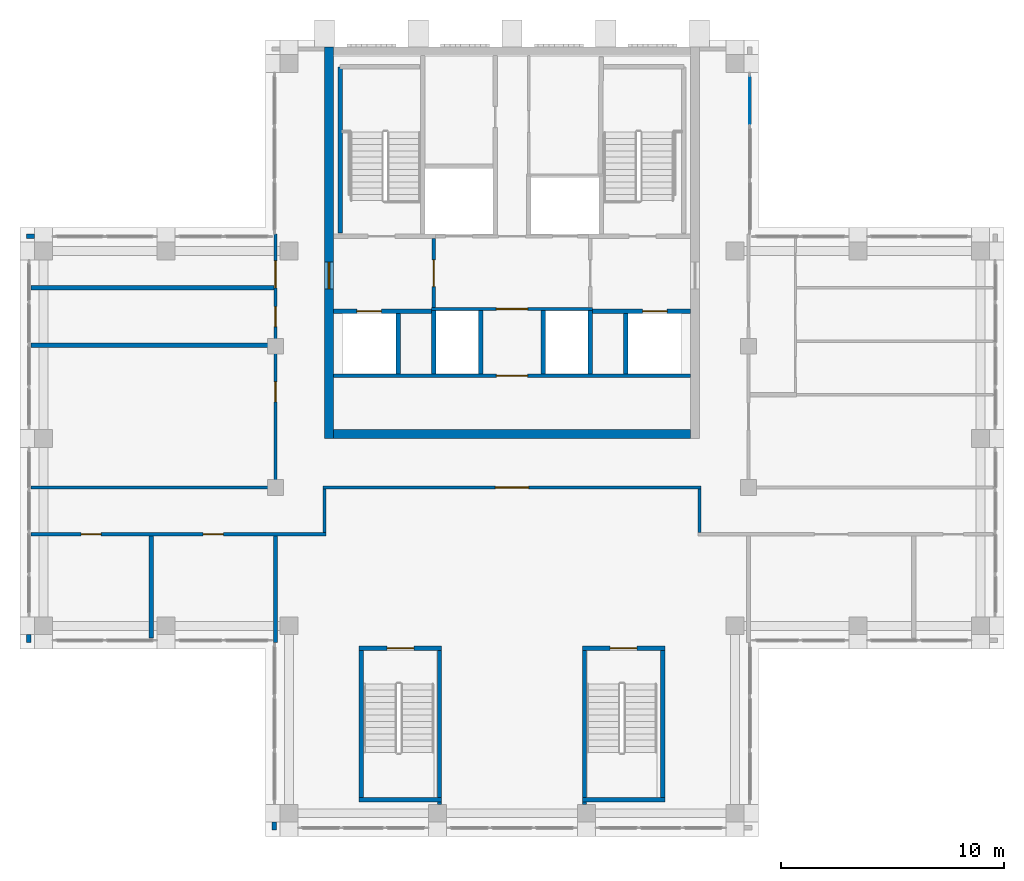
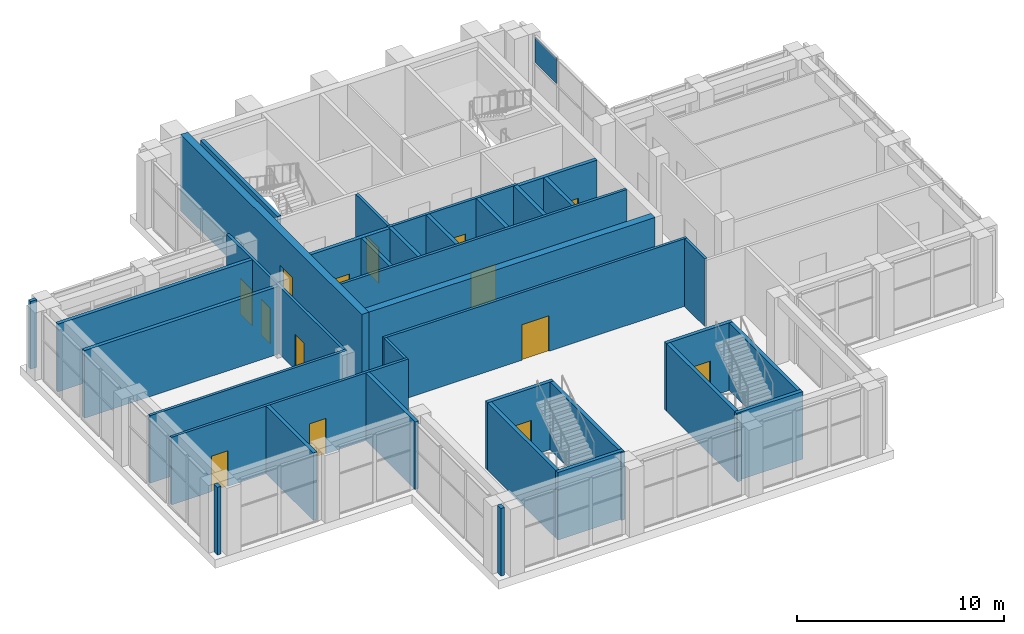
# One storey, part 9 of 14: 35 walls, 14 doors, 1 plate, 14 openings, 1 element without a shape of its own.
"""IFC4 building model written with IfcOpenShell, lengths in metres."""

from ifc_helpers import new_model, si_unit, direction, frame, frame_2d, origin, origin_2d, place, context, subcontext, project, spatial, rectangle, extrude, material, layer, layer_set, type_object, element, fill, aggregate, save


model = new_model("IFC4")

# Units and contexts
model_context = context("Model", 3, precision=1e-05, world=origin(), true_north=direction((0.0, 1.0)))
body_context = subcontext(model_context, "Body", "Model", "MODEL_VIEW")
ifc_project = project(units=[si_unit("LENGTHUNIT", "METRE"), si_unit("AREAUNIT", "SQUARE_METRE"), si_unit("VOLUMEUNIT", "CUBIC_METRE"), si_unit("PLANEANGLEUNIT", "RADIAN"), si_unit("MASSUNIT", "GRAM", prefix="KILO")], contexts=[model_context])

# Site, building, storey
site_placement = place(None, origin())
site = spatial("IfcSite", under=ifc_project, at=site_placement, CompositionType="ELEMENT")
building_placement = place(site_placement, origin())
building = spatial("IfcBuilding", under=site, at=building_placement, Name="Vermilion Ogive Tower", CompositionType="ELEMENT")
storey_placement = place(building_placement, frame((0.0, 0.0, 273.85009765625)))
storey = spatial("IfcBuildingStorey", under=building, at=storey_placement, Name="L72", CompositionType="ELEMENT", Elevation=273.85009765625)

# Curtain wall, plate
ifc_material_1 = material(Name="Laminated solar-control glazing in aluminium frame", Category="aluminium")
curtain_wall_type = type_object("IfcCurtainWallType", Name="Curtain wall CW4", PredefinedType="NOTDEFINED", material=ifc_material_1)
curtain_wall_placement = place(storey_placement, origin())
curtain_wall = element("IfcCurtainWall", 1, at=curtain_wall_placement, inside=storey, type_object=curtain_wall_type, Name="CW4 glazing X41", PredefinedType="NOTDEFINED")
ifc_material_2 = material(Name="Laminated solar-control glazing in aluminium frame", Category="aluminium")
ifc_layer_1 = layer(ifc_material_2, 0.0400390625)
ifc_layer_set_1 = layer_set([ifc_layer_1], Name="CW4 glazing panel 40")
plate_type = type_object("IfcPlateType", Name="CW4 glazing panel 40", PredefinedType="CURTAIN_PANEL", material=ifc_layer_set_1)
plate_placement = place(storey_placement, frame((10.64990234375, 19.341552734375, 2.4296875), z_axis=(0.0, 0.0, 1.0), x_axis=(0.0, 1.0, 0.0)))
plate = element("IfcPlate", 2, at=plate_placement, type_object=plate_type, Name="CW4-X41 panel 3.2", PredefinedType="CURTAIN_PANEL", context=body_context, shape_type="SweptSolid", body=[
    extrude(rectangle(XDim=2.11669921875, YDim=0.0400390625, at=origin_2d()), origin(), (0.0, 0.0, 1.0), 1.510009765625),
])
aggregate(curtain_wall, [plate])

# Wall, opening, door
ifc_material_3 = material(Name="Concrete B60", Category="concrete")
ifc_layer_2 = layer(ifc_material_3, 0.39990234375)
ifc_layer_set_2 = layer_set([ifc_layer_2], Name="Core wall 400 B60")
wall_type_1 = type_object("IfcWallType", Name="Core wall 400 B60", PredefinedType="SHEAR", material=ifc_layer_set_2)
wall_1_placement = place(storey_placement, frame((-8.199951171875, 4.199951171875, -0.5), z_axis=(0.0, 0.0, 1.0), x_axis=(0.0, 1.0, 0.0)))
wall_1 = element("IfcWall", 3, at=wall_1_placement, inside=storey, type_object=wall_type_1, Name="L72-CORE-W", PredefinedType="SHEAR", context=body_context, shape_type="SweptSolid", body=[
    extrude(rectangle(XDim=17.550048828125, YDim=0.39990234375, at=frame_2d((8.77490234375, 0.0))), origin(), (0.0, 0.0, 1.0), 4.5),
])
opening_1_placement = place(wall_1_placement, frame((6.699951171875, 0.0, 0.5)))
opening_1 = element("IfcOpeningElement", 4, at=opening_1_placement, cuts=wall_1, Name="Opening DAZ002", PredefinedType="OPENING", context=body_context, shape_type="SweptSolid", body=[
    extrude(rectangle(XDim=1.199951171875, YDim=2.10009765625, at=frame_2d((0.60009765625, 1.050048828125))), frame((0.0, 0.2099609375, 0.0), z_axis=(0.0, -1.0, 0.0), x_axis=(1.0, 0.0, 0.0)), (0.0, 0.0, 1.0), 0.419921875),
])
ifc_material_4 = material(Name="Timber door leaf", Category="wood")
door_type_1 = type_object("IfcDoorType", Name="Link door 1200 x 2100 FD60S", OperationType="SINGLE_SWING_LEFT", PredefinedType="DOOR", material=ifc_material_4)
door_1_placement = place(opening_1_placement, origin())
door_1 = element("IfcDoor", 5, at=door_1_placement, inside=storey, type_object=door_type_1, Name="L72-CK-XD1", OperationType="SINGLE_SWING_LEFT", OverallHeight=2.10009765625, OverallWidth=1.199951171875, PredefinedType="DOOR", context=body_context, shape_type="SweptSolid", body=[
    extrude(rectangle(XDim=1.199951171875, YDim=2.10009765625, at=frame_2d((0.60009765625, 1.050048828125))), frame((0.0, 0.02490234375, 0.0), z_axis=(0.0, -1.0, 0.0), x_axis=(1.0, 0.0, 0.0)), (0.0, 0.0, 1.0), 0.050048828125),
])
fill(opening_1, door_1)

# Wall
wall_2_placement = place(storey_placement, frame((-8.0, 4.39990234375, -0.5), z_axis=(0.0, 0.0, 1.0), x_axis=(1.0, 0.0, 0.0)))
element("IfcWall", 6, at=wall_2_placement, inside=storey, type_object=wall_type_1, Name="L72-CORE-S", PredefinedType="SHEAR", context=body_context, shape_type="SweptSolid", body=[
    extrude(rectangle(XDim=16.0, YDim=0.39990234375, at=frame_2d((8.0, 0.0))), origin(), (0.0, 0.0, 1.0), 4.5),
])

# Wall, openings, doors
ifc_material_5 = material(Name="Gypsum board partition on steel studs", Category="steel")
ifc_layer_3 = layer(ifc_material_5, 0.14990234375)
ifc_layer_set_3 = layer_set([ifc_layer_3], Name="Partition 150 corridor")
wall_type_2 = type_object("IfcWallType", Name="Partition 150 corridor", PredefinedType="PARTITIONING", material=ifc_layer_set_3)
wall_3_placement = place(storey_placement, frame((-21.550048828125, -0.10009765625, 0.0), z_axis=(0.0, 0.0, 1.0), x_axis=(1.0, 0.0, 0.0)))
wall_3 = element("IfcWall", 7, at=wall_3_placement, inside=storey, type_object=wall_type_2, Name="L72-FS-W-W001", PredefinedType="PARTITIONING", context=body_context, shape_type="SweptSolid", body=[
    extrude(rectangle(XDim=13.22509765625, YDim=0.14990234375, at=frame_2d((6.612548828125, 0.0))), origin(), (0.0, 0.0, 1.0), 4.0),
])
opening_2_placement = place(wall_3_placement, frame((2.237548828125, 0.0, 0.0)))
opening_2 = element("IfcOpeningElement", 8, at=opening_2_placement, cuts=wall_3, Name="Opening L72S002", PredefinedType="OPENING", context=body_context, shape_type="SweptSolid", body=[
    extrude(rectangle(XDim=0.89990234375, YDim=2.10009765625, at=frame_2d((0.449951171875, 1.050048828125))), frame((0.0, 0.0849609375, 0.0), z_axis=(0.0, -1.0, 0.0), x_axis=(1.0, 0.0, 0.0)), (0.0, 0.0, 1.0), 0.169921875),
])
opening_3_placement = place(wall_3_placement, frame((7.712646484375, 0.0, 0.0)))
opening_3 = element("IfcOpeningElement", 9, at=opening_3_placement, cuts=wall_3, Name="Opening L72S003", PredefinedType="OPENING", context=body_context, shape_type="SweptSolid", body=[
    extrude(rectangle(XDim=0.89990234375, YDim=2.10009765625, at=frame_2d((0.449951171875, 1.050048828125))), frame((0.0, 0.0849609375, 0.0), z_axis=(0.0, -1.0, 0.0), x_axis=(1.0, 0.0, 0.0)), (0.0, 0.0, 1.0), 0.169921875),
])
ifc_material_6 = material(Name="Timber door leaf", Category="wood")
door_type_2 = type_object("IfcDoorType", Name="Room door 900 x 2100 FD30", OperationType="SINGLE_SWING_LEFT", PredefinedType="DOOR", material=ifc_material_6)
door_2_placement = place(opening_2_placement, origin())
door_2 = element("IfcDoor", 10, at=door_2_placement, inside=storey, type_object=door_type_2, Name="L72-FS-D-D002", OperationType="SINGLE_SWING_LEFT", OverallHeight=2.10009765625, OverallWidth=0.89990234375, PredefinedType="DOOR", context=body_context, shape_type="SweptSolid", body=[
    extrude(rectangle(XDim=0.89990234375, YDim=2.10009765625, at=frame_2d((0.449951171875, 1.050048828125))), frame((0.0, 0.02490234375, 0.0), z_axis=(0.0, -1.0, 0.0), x_axis=(1.0, 0.0, 0.0)), (0.0, 0.0, 1.0), 0.050048828125),
])
fill(opening_2, door_2)
door_3_placement = place(opening_3_placement, origin())
door_3 = element("IfcDoor", 11, at=door_3_placement, inside=storey, type_object=door_type_2, Name="L72-FS-D-D003", OperationType="SINGLE_SWING_LEFT", OverallHeight=2.10009765625, OverallWidth=0.89990234375, PredefinedType="DOOR", context=body_context, shape_type="SweptSolid", body=[
    extrude(rectangle(XDim=0.89990234375, YDim=2.10009765625, at=frame_2d((0.449951171875, 1.050048828125))), frame((0.0, 0.02490234375, 0.0), z_axis=(0.0, -1.0, 0.0), x_axis=(1.0, 0.0, 0.0)), (0.0, 0.0, 1.0), 0.050048828125),
])
fill(opening_3, door_3)

# Wall
wall_4_placement = place(storey_placement, frame((-21.550048828125, 2.0, 0.0), z_axis=(0.0, 0.0, 1.0), x_axis=(1.0, 0.0, 0.0)))
element("IfcWall", 12, at=wall_4_placement, inside=storey, type_object=wall_type_2, Name="L72-FS-W-W003", PredefinedType="PARTITIONING", context=body_context, shape_type="SweptSolid", body=[
    extrude(rectangle(XDim=11.025146484375, YDim=0.14990234375, at=frame_2d((5.5126953125, 0.0))), origin(), (0.0, 0.0, 1.0), 4.0),
])

# Wall, opening, door
wall_5_placement = place(storey_placement, frame((-8.47509765625, 2.0, 0.0), z_axis=(0.0, 0.0, 1.0), x_axis=(1.0, 0.0, 0.0)))
wall_5 = element("IfcWall", 13, at=wall_5_placement, inside=storey, type_object=wall_type_2, Name="L72-FS-W-W004", PredefinedType="PARTITIONING", context=body_context, shape_type="SweptSolid", body=[
    extrude(rectangle(XDim=16.9501953125, YDim=0.14990234375, at=frame_2d((8.47509765625, 0.0))), origin(), (0.0, 0.0, 1.0), 4.0),
])
opening_4_placement = place(wall_5_placement, frame((7.72509765625, 0.0, 0.0)))
opening_4 = element("IfcOpeningElement", 14, at=opening_4_placement, cuts=wall_5, Name="Opening L72S001", PredefinedType="OPENING", context=body_context, shape_type="SweptSolid", body=[
    extrude(rectangle(XDim=1.5, YDim=2.10009765625, at=frame_2d((0.75, 1.050048828125))), frame((0.0, 0.0849609375, 0.0), z_axis=(0.0, -1.0, 0.0), x_axis=(1.0, 0.0, 0.0)), (0.0, 0.0, 1.0), 0.169921875),
])
ifc_material_7 = material(Name="Timber door leaf", Category="wood")
door_type_3 = type_object("IfcDoorType", Name="Assembly door 1500 x 2100 FD30", OperationType="DOUBLE_DOOR_SINGLE_SWING", PredefinedType="DOOR", material=ifc_material_7)
door_4_placement = place(opening_4_placement, origin())
door_4 = element("IfcDoor", 15, at=door_4_placement, inside=storey, type_object=door_type_3, Name="L72-FS-D-D001", OperationType="DOUBLE_DOOR_SINGLE_SWING", OverallHeight=2.10009765625, OverallWidth=1.5, PredefinedType="DOOR", context=body_context, shape_type="SweptSolid", body=[
    extrude(rectangle(XDim=1.5, YDim=2.10009765625, at=frame_2d((0.75, 1.050048828125))), frame((0.0, 0.02490234375, 0.0), z_axis=(0.0, -1.0, 0.0), x_axis=(1.0, 0.0, 0.0)), (0.0, 0.0, 1.0), 0.050048828125),
])
fill(opening_4, door_4)

# Wall, openings, doors
wall_6_placement = place(storey_placement, frame((-10.60009765625, 2.074951171875, 0.0), z_axis=(0.0, 0.0, 1.0), x_axis=(0.0, 1.0, 0.0)))
wall_6 = element("IfcWall", 16, at=wall_6_placement, inside=storey, type_object=wall_type_2, Name="L72-FS-W-W014", PredefinedType="PARTITIONING", context=body_context, shape_type="SweptSolid", body=[
    extrude(rectangle(XDim=11.275146484375, YDim=0.14990234375, at=frame_2d((5.6376953125, 0.0))), origin(), (0.0, 0.0, 1.0), 4.0),
])
opening_5_placement = place(wall_6_placement, frame((3.759033203125, 0.0, 0.0)))
opening_5 = element("IfcOpeningElement", 17, at=opening_5_placement, cuts=wall_6, Name="Opening L72S010", PredefinedType="OPENING", context=body_context, shape_type="SweptSolid", body=[
    extrude(rectangle(XDim=0.89990234375, YDim=2.10009765625, at=frame_2d((0.449951171875, 1.050048828125))), frame((0.0, 0.0849609375, 0.0), z_axis=(0.0, -1.0, 0.0), x_axis=(1.0, 0.0, 0.0)), (0.0, 0.0, 1.0), 0.169921875),
])
opening_6_placement = place(wall_6_placement, frame((7.134033203125, 0.0, 0.0)))
opening_6 = element("IfcOpeningElement", 18, at=opening_6_placement, cuts=wall_6, Name="Opening L72S011", PredefinedType="OPENING", context=body_context, shape_type="SweptSolid", body=[
    extrude(rectangle(XDim=0.89990234375, YDim=2.10009765625, at=frame_2d((0.449951171875, 1.050048828125))), frame((0.0, 0.0849609375, 0.0), z_axis=(0.0, -1.0, 0.0), x_axis=(1.0, 0.0, 0.0)), (0.0, 0.0, 1.0), 0.169921875),
])
opening_7_placement = place(wall_6_placement, frame((8.875, 0.0, 0.0)))
opening_7 = element("IfcOpeningElement", 19, at=opening_7_placement, cuts=wall_6, Name="Opening L72S012", PredefinedType="OPENING", context=body_context, shape_type="SweptSolid", body=[
    extrude(rectangle(XDim=1.199951171875, YDim=2.10009765625, at=frame_2d((0.60009765625, 1.050048828125))), frame((0.0, 0.0849609375, 0.0), z_axis=(0.0, -1.0, 0.0), x_axis=(1.0, 0.0, 0.0)), (0.0, 0.0, 1.0), 0.169921875),
])
ifc_material_8 = material(Name="Timber door leaf", Category="wood")
door_type_4 = type_object("IfcDoorType", Name="Room door 1200 x 2100 FD30", OperationType="SINGLE_SWING_LEFT", PredefinedType="DOOR", material=ifc_material_8)
door_5_placement = place(opening_7_placement, origin())
door_5 = element("IfcDoor", 20, at=door_5_placement, inside=storey, type_object=door_type_4, Name="L72-FS-D-D012", OperationType="SINGLE_SWING_RIGHT", OverallHeight=2.10009765625, OverallWidth=1.199951171875, PredefinedType="DOOR", context=body_context, shape_type="SweptSolid", body=[
    extrude(rectangle(XDim=1.199951171875, YDim=2.10009765625, at=frame_2d((0.60009765625, 1.050048828125))), frame((0.0, 0.02490234375, 0.0), z_axis=(0.0, -1.0, 0.0), x_axis=(1.0, 0.0, 0.0)), (0.0, 0.0, 1.0), 0.050048828125),
])
fill(opening_7, door_5)
door_6_placement = place(opening_5_placement, origin())
door_6 = element("IfcDoor", 21, at=door_6_placement, inside=storey, type_object=door_type_2, Name="L72-FS-D-D010", OperationType="SINGLE_SWING_LEFT", OverallHeight=2.10009765625, OverallWidth=0.89990234375, PredefinedType="DOOR", context=body_context, shape_type="SweptSolid", body=[
    extrude(rectangle(XDim=0.89990234375, YDim=2.10009765625, at=frame_2d((0.449951171875, 1.050048828125))), frame((0.0, 0.02490234375, 0.0), z_axis=(0.0, -1.0, 0.0), x_axis=(1.0, 0.0, 0.0)), (0.0, 0.0, 1.0), 0.050048828125),
])
fill(opening_5, door_6)
door_7_placement = place(opening_6_placement, origin())
door_7 = element("IfcDoor", 22, at=door_7_placement, inside=storey, type_object=door_type_2, Name="L72-FS-D-D011", OperationType="SINGLE_SWING_LEFT", OverallHeight=2.10009765625, OverallWidth=0.89990234375, PredefinedType="DOOR", context=body_context, shape_type="SweptSolid", body=[
    extrude(rectangle(XDim=0.89990234375, YDim=2.10009765625, at=frame_2d((0.449951171875, 1.050048828125))), frame((0.0, 0.02490234375, 0.0), z_axis=(0.0, -1.0, 0.0), x_axis=(1.0, 0.0, 0.0)), (0.0, 0.0, 1.0), 0.050048828125),
])
fill(opening_6, door_7)

# Walls
for number, where, z_axis, x_axis, name in (
    (23, (-8.39990234375, -0.02490234375, 0.0), (0.0, 0.0, 1.0), (0.0, 1.0, 0.0), "L72-FS-W-W015"),
    (24, (8.39990234375, -0.02490234375, 0.0), (0.0, 0.0, 1.0), (0.0, 1.0, 0.0), "L72-FS-W-W016"),
):
    element("IfcWall", number, at=place(storey_placement, frame(where, z_axis=z_axis, x_axis=x_axis)), inside=storey, type_object=wall_type_2, Name=name, PredefinedType="PARTITIONING", context=body_context, shape_type="SweptSolid", body=[
        extrude(rectangle(XDim=1.949951171875, YDim=0.14990234375, at=frame_2d((0.97509765625, 0.0))), origin(), (0.0, 0.0, 1.0), 4.0),
    ])

# Wall, opening, door
wall_7_placement = place(storey_placement, frame((-7.9990234375, 7.0, 0.0), z_axis=(0.0, 0.0, 1.0), x_axis=(1.0, 0.0, 0.0)))
wall_7 = element("IfcWall", 25, at=wall_7_placement, inside=storey, type_object=wall_type_2, Name="L72-CK-W-W001", PredefinedType="PARTITIONING", context=body_context, shape_type="SweptSolid", body=[
    extrude(rectangle(XDim=15.998046875, YDim=0.14990234375, at=frame_2d((7.9990234375, 0.0))), origin(), (0.0, 0.0, 1.0), 4.0),
])
opening_8_placement = place(wall_7_placement, frame((7.299072265625, 0.0, 0.0)))
opening_8 = element("IfcOpeningElement", 26, at=opening_8_placement, cuts=wall_7, Name="Opening DAE018", PredefinedType="OPENING", context=body_context, shape_type="SweptSolid", body=[
    extrude(rectangle(XDim=1.39990234375, YDim=2.10009765625, at=frame_2d((0.699951171875, 1.050048828125))), frame((0.0, 0.0849609375, 0.0), z_axis=(0.0, -1.0, 0.0), x_axis=(1.0, 0.0, 0.0)), (0.0, 0.0, 1.0), 0.169921875),
])
ifc_material_9 = material(Name="Timber door leaf", Category="wood")
door_type_5 = type_object("IfcDoorType", Name="Lobby door 1400 x 2100 FD60S", OperationType="SINGLE_SWING_LEFT", PredefinedType="DOOR", material=ifc_material_9)
door_8_placement = place(opening_8_placement, origin())
door_8 = element("IfcDoor", 27, at=door_8_placement, inside=storey, type_object=door_type_5, Name="L72-CK-D-D005", OperationType="SINGLE_SWING_RIGHT", OverallHeight=2.10009765625, OverallWidth=1.39990234375, PredefinedType="DOOR", context=body_context, shape_type="SweptSolid", body=[
    extrude(rectangle(XDim=1.39990234375, YDim=2.10009765625, at=frame_2d((0.699951171875, 1.050048828125))), frame((0.0, 0.02490234375, 0.0), z_axis=(0.0, -1.0, 0.0), x_axis=(1.0, 0.0, 0.0)), (0.0, 0.0, 1.0), 0.050048828125),
])
fill(opening_8, door_8)

wall_8_placement = place(storey_placement, frame((-3.60009765625, 10.0, 0.0), z_axis=(0.0, 0.0, 1.0), x_axis=(1.0, 0.0, 0.0)))
wall_8 = element("IfcWall", 28, at=wall_8_placement, inside=storey, type_object=wall_type_2, Name="L72-CK-W-W004", PredefinedType="PARTITIONING", context=body_context, shape_type="SweptSolid", body=[
    extrude(rectangle(XDim=7.2001953125, YDim=0.14990234375, at=frame_2d((3.60009765625, 0.0))), origin(), (0.0, 0.0, 1.0), 4.0),
])
opening_9_placement = place(wall_8_placement, frame((2.900146484375, 0.0, 0.0)))
opening_9 = element("IfcOpeningElement", 29, at=opening_9_placement, cuts=wall_8, Name="Opening DAE019", PredefinedType="OPENING", context=body_context, shape_type="SweptSolid", body=[
    extrude(rectangle(XDim=1.39990234375, YDim=2.10009765625, at=frame_2d((0.699951171875, 1.050048828125))), frame((0.0, 0.0849609375, 0.0), z_axis=(0.0, -1.0, 0.0), x_axis=(1.0, 0.0, 0.0)), (0.0, 0.0, 1.0), 0.169921875),
])
door_9_placement = place(opening_9_placement, origin())
door_9 = element("IfcDoor", 30, at=door_9_placement, inside=storey, type_object=door_type_5, Name="L72-CK-D-D006", OperationType="SINGLE_SWING_RIGHT", OverallHeight=2.10009765625, OverallWidth=1.39990234375, PredefinedType="DOOR", context=body_context, shape_type="SweptSolid", body=[
    extrude(rectangle(XDim=1.39990234375, YDim=2.10009765625, at=frame_2d((0.699951171875, 1.050048828125))), frame((0.0, 0.02490234375, 0.0), z_axis=(0.0, -1.0, 0.0), x_axis=(1.0, 0.0, 0.0)), (0.0, 0.0, 1.0), 0.050048828125),
])
fill(opening_9, door_9)

wall_9_placement = place(storey_placement, frame((-3.5, 10.074951171875, 0.0), z_axis=(0.0, 0.0, 1.0), x_axis=(0.0, 1.0, 0.0)))
wall_9 = element("IfcWall", 31, at=wall_9_placement, inside=storey, type_object=wall_type_2, Name="L72-CK-W-W013", PredefinedType="PARTITIONING", context=body_context, shape_type="SweptSolid", body=[
    extrude(rectangle(XDim=3.074951171875, YDim=0.14990234375, at=frame_2d((1.53759765625, 0.0))), origin(), (0.0, 0.0, 1.0), 4.0),
])
opening_10_placement = place(wall_9_placement, frame((0.925048828125, 0.0, 0.0)))
opening_10 = element("IfcOpeningElement", 32, at=opening_10_placement, cuts=wall_9, Name="Opening DAE016", PredefinedType="OPENING", context=body_context, shape_type="SweptSolid", body=[
    extrude(rectangle(XDim=1.199951171875, YDim=2.10009765625, at=frame_2d((0.60009765625, 1.050048828125))), frame((0.0, 0.0849609375, 0.0), z_axis=(0.0, -1.0, 0.0), x_axis=(1.0, 0.0, 0.0)), (0.0, 0.0, 1.0), 0.169921875),
])
ifc_material_10 = material(Name="Timber door leaf", Category="wood")
door_type_6 = type_object("IfcDoorType", Name="Lobby door 1200 x 2100 FD60S", OperationType="SINGLE_SWING_LEFT", PredefinedType="DOOR", material=ifc_material_10)
door_10_placement = place(opening_10_placement, origin())
door_10 = element("IfcDoor", 33, at=door_10_placement, inside=storey, type_object=door_type_6, Name="L72-CK-D-D012", OperationType="SINGLE_SWING_RIGHT", OverallHeight=2.10009765625, OverallWidth=1.199951171875, PredefinedType="DOOR", context=body_context, shape_type="SweptSolid", body=[
    extrude(rectangle(XDim=1.199951171875, YDim=2.10009765625, at=frame_2d((0.60009765625, 1.050048828125))), frame((0.0, 0.02490234375, 0.0), z_axis=(0.0, -1.0, 0.0), x_axis=(1.0, 0.0, 0.0)), (0.0, 0.0, 1.0), 0.050048828125),
])
fill(opening_10, door_10)

# Walls
ifc_material_11 = material(Name="Gypsum board partition on steel studs", Category="steel")
ifc_layer_4 = layer(ifc_material_11, 0.199951171875)
ifc_layer_set_4 = layer_set([ifc_layer_4], Name="Partition 200 party")
wall_type_3 = type_object("IfcWallType", Name="Partition 200 party", PredefinedType="PARTITIONING", material=ifc_layer_set_4)
for number, where, z_axis, x_axis, name in (
    (34, (-21.550048828125, 8.367919921875, 0.0), (0.0, 0.0, 1.0), (1.0, 0.0, 0.0), "L72-FS-W-W008"),
    (35, (-21.550048828125, 10.949951171875, 0.0), (0.0, 0.0, 1.0), (1.0, 0.0, 0.0), "L72-FS-W-W010"),
):
    element("IfcWall", number, at=place(storey_placement, frame(where, z_axis=z_axis, x_axis=x_axis)), inside=storey, type_object=wall_type_3, Name=name, PredefinedType="PARTITIONING", context=body_context, shape_type="SweptSolid", body=[
        extrude(rectangle(XDim=10.875, YDim=0.199951171875, at=frame_2d((5.4375, 0.0))), origin(), (0.0, 0.0, 1.0), 4.0),
    ])
wall_10_placement = place(storey_placement, frame((-16.175048828125, -4.75, 0.0), z_axis=(0.0, 0.0, 1.0), x_axis=(0.0, 1.0, 0.0)))
element("IfcWall", 36, at=wall_10_placement, inside=storey, type_object=wall_type_3, Name="L72-FS-W-W012", PredefinedType="PARTITIONING", context=body_context, shape_type="SweptSolid", body=[
    extrude(rectangle(XDim=4.574951171875, YDim=0.199951171875, at=frame_2d((2.28759765625, 0.0))), origin(), (0.0, 0.0, 1.0), 4.0),
])
wall_11_placement = place(storey_placement, frame((-10.60009765625, -4.949951171875, 0.0), z_axis=(0.0, 0.0, 1.0), x_axis=(0.0, 1.0, 0.0)))
element("IfcWall", 37, at=wall_11_placement, inside=storey, type_object=wall_type_3, Name="L72-FS-W-W013", PredefinedType="PARTITIONING", context=body_context, shape_type="SweptSolid", body=[
    extrude(rectangle(XDim=4.77490234375, YDim=0.199951171875, at=frame_2d((2.387451171875, 0.0))), origin(), (0.0, 0.0, 1.0), 4.0),
])

# Wall, opening, door
wall_12_placement = place(storey_placement, frame((-7.9990234375, 9.89990234375, 0.0), z_axis=(0.0, 0.0, 1.0), x_axis=(1.0, 0.0, 0.0)))
wall_12 = element("IfcWall", 38, at=wall_12_placement, inside=storey, type_object=wall_type_3, Name="L72-CK-W-W002", PredefinedType="PARTITIONING", context=body_context, shape_type="SweptSolid", body=[
    extrude(rectangle(XDim=4.39892578125, YDim=0.199951171875, at=frame_2d((2.199462890625, 0.0))), origin(), (0.0, 0.0, 1.0), 4.0),
])
opening_11_placement = place(wall_12_placement, frame((1.049072265625, 0.0, 0.0)))
opening_11 = element("IfcOpeningElement", 39, at=opening_11_placement, cuts=wall_12, Name="Opening DAE025", PredefinedType="OPENING", context=body_context, shape_type="SweptSolid", body=[
    extrude(rectangle(XDim=1.10009765625, YDim=2.10009765625, at=frame_2d((0.550048828125, 1.050048828125))), frame((0.0, 0.10986328125, 0.0), z_axis=(0.0, -1.0, 0.0), x_axis=(1.0, 0.0, 0.0)), (0.0, 0.0, 1.0), 0.219970703125),
])
ifc_material_12 = material(Name="Stainless steel", Category="steel")
door_type_7 = type_object("IfcDoorType", Name="Lift landing door 1100 x 2100", OperationType="SLIDING_TO_LEFT", PredefinedType="DOOR", material=ifc_material_12)
door_11_placement = place(opening_11_placement, origin())
door_11 = element("IfcDoor", 40, at=door_11_placement, inside=storey, type_object=door_type_7, Name="L72-CK-D-D002", OperationType="SLIDING_TO_LEFT", OverallHeight=2.10009765625, OverallWidth=1.10009765625, PredefinedType="DOOR", context=body_context, shape_type="SweptSolid", body=[
    extrude(rectangle(XDim=1.10009765625, YDim=2.10009765625, at=frame_2d((0.550048828125, 1.050048828125))), frame((0.0, 0.02490234375, 0.0), z_axis=(0.0, -1.0, 0.0), x_axis=(1.0, 0.0, 0.0)), (0.0, 0.0, 1.0), 0.050048828125),
])
fill(opening_11, door_11)

wall_13_placement = place(storey_placement, frame((3.60009765625, 9.89990234375, 0.0), z_axis=(0.0, 0.0, 1.0), x_axis=(1.0, 0.0, 0.0)))
wall_13 = element("IfcWall", 41, at=wall_13_placement, inside=storey, type_object=wall_type_3, Name="L72-CK-W-W003", PredefinedType="PARTITIONING", context=body_context, shape_type="SweptSolid", body=[
    extrude(rectangle(XDim=4.39892578125, YDim=0.199951171875, at=frame_2d((2.199462890625, 0.0))), origin(), (0.0, 0.0, 1.0), 4.0),
])
opening_12_placement = place(wall_13_placement, frame((2.25, 0.0, 0.0)))
opening_12 = element("IfcOpeningElement", 42, at=opening_12_placement, cuts=wall_13, Name="Opening DAE026", PredefinedType="OPENING", context=body_context, shape_type="SweptSolid", body=[
    extrude(rectangle(XDim=1.10009765625, YDim=2.10009765625, at=frame_2d((0.550048828125, 1.050048828125))), frame((0.0, 0.10986328125, 0.0), z_axis=(0.0, -1.0, 0.0), x_axis=(1.0, 0.0, 0.0)), (0.0, 0.0, 1.0), 0.219970703125),
])
door_12_placement = place(opening_12_placement, origin())
door_12 = element("IfcDoor", 43, at=door_12_placement, inside=storey, type_object=door_type_7, Name="L72-CK-D-D004", OperationType="SLIDING_TO_LEFT", OverallHeight=2.10009765625, OverallWidth=1.10009765625, PredefinedType="DOOR", context=body_context, shape_type="SweptSolid", body=[
    extrude(rectangle(XDim=1.10009765625, YDim=2.10009765625, at=frame_2d((0.550048828125, 1.050048828125))), frame((0.0, 0.02490234375, 0.0), z_axis=(0.0, -1.0, 0.0), x_axis=(1.0, 0.0, 0.0)), (0.0, 0.0, 1.0), 0.050048828125),
])
fill(opening_12, door_12)

# Walls
wall_14_placement = place(storey_placement, frame((-5.10009765625, 7.074951171875, 0.0), z_axis=(0.0, 0.0, 1.0), x_axis=(0.0, 1.0, 0.0)))
element("IfcWall", 44, at=wall_14_placement, inside=storey, type_object=wall_type_3, Name="L72-CK-W-W010", PredefinedType="PARTITIONING", context=body_context, shape_type="SweptSolid", body=[
    extrude(rectangle(XDim=2.72509765625, YDim=0.199951171875, at=frame_2d((1.362548828125, 0.0))), origin(), (0.0, 0.0, 1.0), 4.0),
])
for number, where, z_axis, x_axis, name in (
    (45, (-3.5, 7.074951171875, 0.0), (0.0, 0.0, 1.0), (0.0, 1.0, 0.0), "L72-CK-W-W012"),
    (46, (-1.39990234375, 7.074951171875, 0.0), (0.0, 0.0, 1.0), (0.0, 1.0, 0.0), "L72-CK-W-W014"),
    (47, (1.39990234375, 7.074951171875, 0.0), (0.0, 0.0, 1.0), (0.0, 1.0, 0.0), "L72-CK-W-W018"),
    (48, (3.5, 7.074951171875, 0.0), (0.0, 0.0, 1.0), (0.0, 1.0, 0.0), "L72-CK-W-W019"),
):
    element("IfcWall", number, at=place(storey_placement, frame(where, z_axis=z_axis, x_axis=x_axis)), inside=storey, type_object=wall_type_3, Name=name, PredefinedType="PARTITIONING", context=body_context, shape_type="SweptSolid", body=[
        extrude(rectangle(XDim=2.85009765625, YDim=0.199951171875, at=frame_2d((1.425048828125, 0.0))), origin(), (0.0, 0.0, 1.0), 4.0),
    ])
wall_15_placement = place(storey_placement, frame((5.10009765625, 7.074951171875, 0.0), z_axis=(0.0, 0.0, 1.0), x_axis=(0.0, 1.0, 0.0)))
element("IfcWall", 49, at=wall_15_placement, inside=storey, type_object=wall_type_3, Name="L72-CK-W-W023", PredefinedType="PARTITIONING", context=body_context, shape_type="SweptSolid", body=[
    extrude(rectangle(XDim=2.72509765625, YDim=0.199951171875, at=frame_2d((1.362548828125, 0.0))), origin(), (0.0, 0.0, 1.0), 4.0),
])
ifc_material_13 = material(Name="Concrete B60", Category="concrete")
ifc_layer_5 = layer(ifc_material_13, 0.199951171875)
ifc_layer_set_5 = layer_set([ifc_layer_5], Name="Stair shaft wall 200 Concrete B60")
wall_type_4 = type_object("IfcWallType", Name="Stair shaft wall 200 Concrete B60", PredefinedType="SOLIDWALL", material=ifc_layer_set_5)
wall_16_placement = place(storey_placement, frame((3.14990234375, -12.0, 0.0), z_axis=(0.0, 0.0, 1.0), x_axis=(1.0, 0.0, 0.0)))
element("IfcWall", 50, at=wall_16_placement, inside=storey, type_object=wall_type_4, Name="L72-SW-ST6-S1", PredefinedType="SOLIDWALL", context=body_context, shape_type="SweptSolid", body=[
    extrude(rectangle(XDim=3.7001953125, YDim=0.199951171875, at=frame_2d((1.85009765625, 0.0))), origin(), (0.0, 0.0, 1.0), 4.0),
])

# Wall, opening, door
wall_17_placement = place(storey_placement, frame((3.14990234375, -5.199951171875, 0.0), z_axis=(0.0, 0.0, 1.0), x_axis=(1.0, 0.0, 0.0)))
wall_17 = element("IfcWall", 51, at=wall_17_placement, inside=storey, type_object=wall_type_4, Name="L72-SW-ST6-N1", PredefinedType="SOLIDWALL", context=body_context, shape_type="SweptSolid", body=[
    extrude(rectangle(XDim=3.7001953125, YDim=0.199951171875, at=frame_2d((1.85009765625, 0.0))), origin(), (0.0, 0.0, 1.0), 4.0),
])
opening_13_placement = place(wall_17_placement, frame((1.25, 0.0, 0.0)))
opening_13 = element("IfcOpeningElement", 52, at=opening_13_placement, cuts=wall_17, Name="Opening L72-SD6", PredefinedType="OPENING", context=body_context, shape_type="SweptSolid", body=[
    extrude(rectangle(XDim=1.199951171875, YDim=2.10009765625, at=frame_2d((0.60009765625, 1.050048828125))), frame((0.0, 0.10986328125, 0.0), z_axis=(0.0, -1.0, 0.0), x_axis=(1.0, 0.0, 0.0)), (0.0, 0.0, 1.0), 0.219970703125),
])
ifc_material_14 = material(Name="Timber door leaf", Category="wood")
door_type_8 = type_object("IfcDoorType", Name="Stair door 1200 x 2100 FD60S", OperationType="SINGLE_SWING_LEFT", PredefinedType="DOOR", material=ifc_material_14)
door_13_placement = place(opening_13_placement, origin())
door_13 = element("IfcDoor", 53, at=door_13_placement, inside=storey, type_object=door_type_8, Name="Stair door ST6", OperationType="SINGLE_SWING_LEFT", OverallHeight=2.10009765625, OverallWidth=1.199951171875, PredefinedType="DOOR", context=body_context, shape_type="SweptSolid", body=[
    extrude(rectangle(XDim=1.199951171875, YDim=2.10009765625, at=frame_2d((0.60009765625, 1.050048828125))), frame((0.0, 0.02490234375, 0.0), z_axis=(0.0, -1.0, 0.0), x_axis=(1.0, 0.0, 0.0)), (0.0, 0.0, 1.0), 0.050048828125),
])
fill(opening_13, door_13)

# Walls
wall_18_placement = place(storey_placement, frame((3.25, -12.199951171875, 0.0), z_axis=(0.0, 0.0, 1.0), x_axis=(0.0, 1.0, 0.0)))
element("IfcWall", 54, at=wall_18_placement, inside=storey, type_object=wall_type_4, Name="L72-SW-ST6-W1", PredefinedType="SOLIDWALL", context=body_context, shape_type="SweptSolid", body=[
    extrude(rectangle(XDim=6.89990234375, YDim=0.199951171875, at=frame_2d((3.449951171875, 0.0))), origin(), (0.0, 0.0, 1.0), 4.0),
])
wall_19_placement = place(storey_placement, frame((6.75, -11.89990234375, 0.0), z_axis=(0.0, 0.0, 1.0), x_axis=(0.0, 1.0, 0.0)))
element("IfcWall", 55, at=wall_19_placement, inside=storey, type_object=wall_type_4, Name="L72-SW-ST6-E1", PredefinedType="SOLIDWALL", context=body_context, shape_type="SweptSolid", body=[
    extrude(rectangle(XDim=6.599853515625, YDim=0.199951171875, at=frame_2d((3.2998046875, 0.0))), origin(), (0.0, 0.0, 1.0), 4.0),
])
wall_20_placement = place(storey_placement, frame((-6.85009765625, -12.0, 0.0), z_axis=(0.0, 0.0, 1.0), x_axis=(1.0, 0.0, 0.0)))
element("IfcWall", 56, at=wall_20_placement, inside=storey, type_object=wall_type_4, Name="L72-SW-ST7-S1", PredefinedType="SOLIDWALL", context=body_context, shape_type="SweptSolid", body=[
    extrude(rectangle(XDim=3.7001953125, YDim=0.199951171875, at=frame_2d((1.85009765625, 0.0))), origin(), (0.0, 0.0, 1.0), 4.0),
])

# Wall, opening, door
wall_21_placement = place(storey_placement, frame((-6.85009765625, -5.199951171875, 0.0), z_axis=(0.0, 0.0, 1.0), x_axis=(1.0, 0.0, 0.0)))
wall_21 = element("IfcWall", 57, at=wall_21_placement, inside=storey, type_object=wall_type_4, Name="L72-SW-ST7-N1", PredefinedType="SOLIDWALL", context=body_context, shape_type="SweptSolid", body=[
    extrude(rectangle(XDim=3.7001953125, YDim=0.199951171875, at=frame_2d((1.85009765625, 0.0))), origin(), (0.0, 0.0, 1.0), 4.0),
])
opening_14_placement = place(wall_21_placement, frame((1.25, 0.0, 0.0)))
opening_14 = element("IfcOpeningElement", 58, at=opening_14_placement, cuts=wall_21, Name="Opening L72-SD7", PredefinedType="OPENING", context=body_context, shape_type="SweptSolid", body=[
    extrude(rectangle(XDim=1.199951171875, YDim=2.10009765625, at=frame_2d((0.60009765625, 1.050048828125))), frame((0.0, 0.10986328125, 0.0), z_axis=(0.0, -1.0, 0.0), x_axis=(1.0, 0.0, 0.0)), (0.0, 0.0, 1.0), 0.219970703125),
])
door_14_placement = place(opening_14_placement, origin())
door_14 = element("IfcDoor", 59, at=door_14_placement, inside=storey, type_object=door_type_8, Name="Stair door ST7", OperationType="SINGLE_SWING_LEFT", OverallHeight=2.10009765625, OverallWidth=1.199951171875, PredefinedType="DOOR", context=body_context, shape_type="SweptSolid", body=[
    extrude(rectangle(XDim=1.199951171875, YDim=2.10009765625, at=frame_2d((0.60009765625, 1.050048828125))), frame((0.0, 0.02490234375, 0.0), z_axis=(0.0, -1.0, 0.0), x_axis=(1.0, 0.0, 0.0)), (0.0, 0.0, 1.0), 0.050048828125),
])
fill(opening_14, door_14)

# Walls
wall_22_placement = place(storey_placement, frame((-6.75, -11.89990234375, 0.0), z_axis=(0.0, 0.0, 1.0), x_axis=(0.0, 1.0, 0.0)))
element("IfcWall", 60, at=wall_22_placement, inside=storey, type_object=wall_type_4, Name="L72-SW-ST7-W1", PredefinedType="SOLIDWALL", context=body_context, shape_type="SweptSolid", body=[
    extrude(rectangle(XDim=6.599853515625, YDim=0.199951171875, at=frame_2d((3.2998046875, 0.0))), origin(), (0.0, 0.0, 1.0), 4.0),
])
wall_23_placement = place(storey_placement, frame((-3.25, -12.199951171875, 0.0), z_axis=(0.0, 0.0, 1.0), x_axis=(0.0, 1.0, 0.0)))
element("IfcWall", 61, at=wall_23_placement, inside=storey, type_object=wall_type_4, Name="L72-SW-ST7-E1", PredefinedType="SOLIDWALL", context=body_context, shape_type="SweptSolid", body=[
    extrude(rectangle(XDim=6.89990234375, YDim=0.199951171875, at=frame_2d((3.449951171875, 0.0))), origin(), (0.0, 0.0, 1.0), 4.0),
])
wall_24_placement = place(storey_placement, frame((-7.699951171875, 13.39990234375, 0.0), z_axis=(0.0, 0.0, 1.0), x_axis=(0.0, 1.0, 0.0)))
element("IfcWall", 62, at=wall_24_placement, inside=storey, type_object=wall_type_4, Name="L72-SW-R004-W1", PredefinedType="SOLIDWALL", context=body_context, shape_type="SweptSolid", body=[
    extrude(rectangle(XDim=7.4501953125, YDim=0.199951171875, at=frame_2d((3.72509765625, 0.0))), origin(), (0.0, 0.0, 1.0), 4.0),
])
ifc_material_15 = material(Name="Aluminium window wall framing", Category="aluminium")
ifc_layer_6 = layer(ifc_material_15, 0.199951171875)
ifc_layer_set_6 = layer_set([ifc_layer_6], Name="Window wall")
wall_type_5 = type_object("IfcWallType", Name="Window wall", PredefinedType="STANDARD", material=ifc_layer_set_6)
wall_25_placement = place(storey_placement, frame((-21.39990234375, 13.25, 0.0), z_axis=(0.0, 0.0, 1.0), x_axis=(-1.0, 0.0, 0.0)))
element("IfcWall", 63, at=wall_25_placement, inside=storey, type_object=wall_type_5, Name="Window wall X63", PredefinedType="STANDARD", context=body_context, shape_type="SweptSolid", body=[
    extrude(rectangle(XDim=0.35009765625, YDim=0.199951171875, at=frame_2d((0.175048828125, 0.0))), origin(), (0.0, 0.0, 1.0), 4.0),
])
wall_26_placement = place(storey_placement, frame((-21.64990234375, -4.60009765625, 0.0), z_axis=(0.0, 0.0, 1.0), x_axis=(0.0, -1.0, 0.0)))
element("IfcWall", 64, at=wall_26_placement, inside=storey, type_object=wall_type_5, Name="Window wall W3", PredefinedType="STANDARD", context=body_context, shape_type="SweptSolid", body=[
    extrude(rectangle(XDim=0.349853515625, YDim=0.199951171875, at=frame_2d((0.1748046875, 0.0))), origin(), (0.0, 0.0, 1.0), 4.0),
])
wall_27_placement = place(storey_placement, frame((-10.64990234375, -13.0, 0.0), z_axis=(0.0, 0.0, 1.0), x_axis=(0.0, -1.0, 0.0)))
element("IfcWall", 65, at=wall_27_placement, inside=storey, type_object=wall_type_5, Name="Window wall X82", PredefinedType="STANDARD", context=body_context, shape_type="SweptSolid", body=[
    extrude(rectangle(XDim=0.35009765625, YDim=0.199951171875, at=frame_2d((0.175048828125, 0.0))), origin(), (0.0, 0.0, 1.0), 4.0),
])

save(model, "model.ifc")
